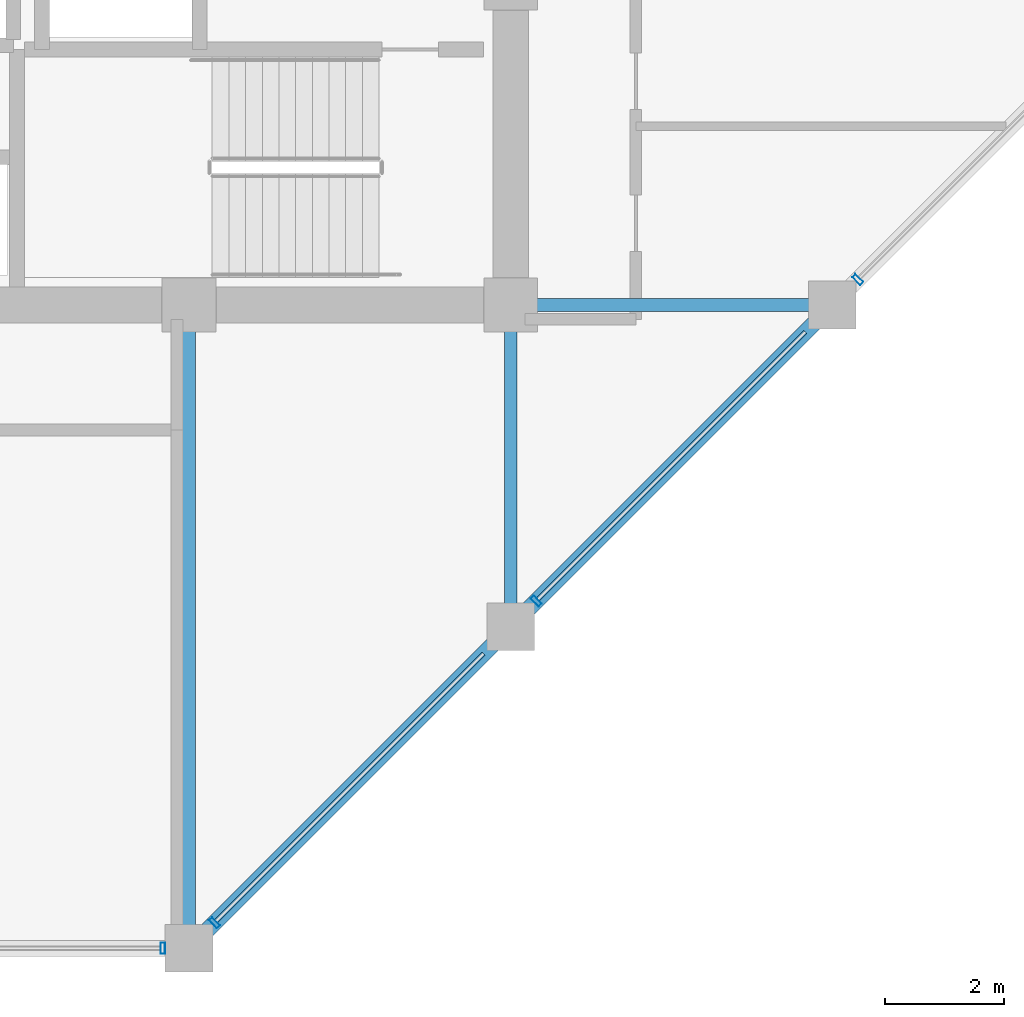
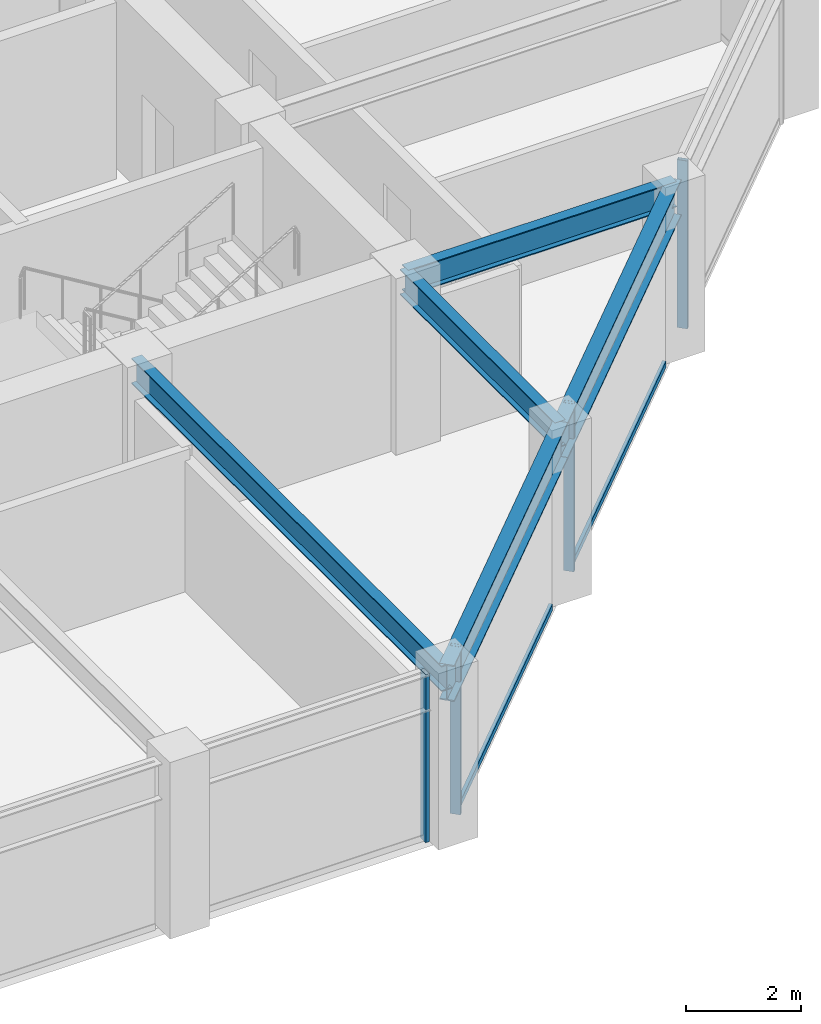
# One storey, part 10 of 30: 6 members, 5 beams, 2 elements without a shape of their own.
"""IFC4 building model written with IfcOpenShell, lengths in metres."""

from ifc_helpers import new_model, si_unit, direction, frame, origin, origin_2d, place, context, subcontext, project, spatial, hollow_rectangle, i_section, extrude, material, layer, layer_set, material_profile, profile_set, type_object, element, aggregate, save


model = new_model("IFC4")

# Units and contexts
model_context = context("Model", 3, precision=1e-05, world=origin(), true_north=direction((0.0, 1.0)))
body_context = subcontext(model_context, "Body", "Model", "MODEL_VIEW")
ifc_project = project(units=[si_unit("LENGTHUNIT", "METRE"), si_unit("AREAUNIT", "SQUARE_METRE"), si_unit("VOLUMEUNIT", "CUBIC_METRE"), si_unit("PLANEANGLEUNIT", "RADIAN"), si_unit("MASSUNIT", "GRAM", prefix="KILO")], contexts=[model_context])

# Site, building, storey
site_placement = place(None, origin())
site = spatial("IfcSite", under=ifc_project, at=site_placement, CompositionType="ELEMENT")
building_placement = place(site_placement, origin())
building = spatial("IfcBuilding", under=site, at=building_placement, Name="Surkhivell Harbour Commons", CompositionType="ELEMENT")
storey_placement = place(building_placement, frame((0.0, 0.0, 227.25)))
storey = spatial("IfcBuildingStorey", under=building, at=storey_placement, Name="L59", CompositionType="ELEMENT", Elevation=227.25)

# Beams
ifc_material_1 = material(Name="Steel S355", Category="steel")
ifc_material_profile_1 = material_profile(ifc_material_1, i_section(OverallWidth=0.2119140625, OverallDepth=0.5439453125, WebThickness=0.0126953125, FlangeThickness=0.021240234375, at=origin_2d()), Name="UB533x210x122")
ifc_profile_set_1 = profile_set([ifc_material_profile_1], Name="Steel S355")
beam_type_1 = type_object("IfcBeamType", Name="BM-GRD-533A", PredefinedType="BEAM", material=ifc_profile_set_1)
beam_1_placement = place(storey_placement, frame((5.39990234375, -21.60009765625, 3.298095703125), z_axis=(0.0, 1.0, 0.0), x_axis=(-1.0, 0.0, 0.0)))
element("IfcBeam", 1, at=beam_1_placement, inside=storey, type_object=beam_type_1, Name="L59 Floor Girder (5.4,-21.6)", PredefinedType="BEAM", context=body_context, shape_type="SweptSolid", body=[
    extrude(i_section(OverallWidth=0.2119140625, OverallDepth=0.5439453125, WebThickness=0.0126953125, FlangeThickness=0.021240234375, at=origin_2d()), origin(), (0.0, 0.0, 1.0), 10.800048828125),
])
for number, where, z_axis, x_axis, name in (
    (2, (10.800048828125, -16.199951171875, 3.298095703125), (0.0, 1.0, 0.0), (-1.0, 0.0, 0.0), "L59 Floor Girder (10.8,-16.2)"),
    (3, (10.800048828125, -10.800048828125, 3.298095703125), (1.0, 0.0, 0.0), (0.0, 1.0, 0.0), "L59 Floor Girder (10.8,-10.8)"),
):
    element("IfcBeam", number, at=place(storey_placement, frame(where, z_axis=z_axis, x_axis=x_axis)), inside=storey, type_object=beam_type_1, Name=name, PredefinedType="BEAM", context=body_context, shape_type="SweptSolid", body=[
        extrude(i_section(OverallWidth=0.2119140625, OverallDepth=0.5439453125, WebThickness=0.0126953125, FlangeThickness=0.021240234375, at=origin_2d()), origin(), (0.0, 0.0, 1.0), 5.39990234375),
    ])
ifc_material_profile_2 = material_profile(ifc_material_1, i_section(OverallWidth=0.26806640625, OverallDepth=0.77001953125, WebThickness=0.015625, FlangeThickness=0.025390625, at=origin_2d()), Name="UB762x267x197")
ifc_profile_set_2 = profile_set([ifc_material_profile_2], Name="Steel S355")
beam_type_2 = type_object("IfcBeamType", Name="BM-SPN-762", PredefinedType="SPANDREL", material=ifc_profile_set_2)
beam_2_placement = place(storey_placement, frame((5.39990234375, -21.60009765625, 3.18505859375), z_axis=(0.707106781187, 0.707106781187, 0.0), x_axis=(-0.707106781187, 0.707106781187, 0.0)))
element("IfcBeam", 4, at=beam_2_placement, inside=storey, type_object=beam_type_2, Name="L59 Tube Spandrel (5.4,-21.6)", PredefinedType="SPANDREL", context=body_context, shape_type="SweptSolid", body=[
    extrude(i_section(OverallWidth=0.26806640625, OverallDepth=0.77001953125, WebThickness=0.015625, FlangeThickness=0.025390625, at=origin_2d()), origin(), (0.0, 0.0, 1.0), 7.636962890625),
])
beam_3_placement = place(storey_placement, frame((10.800048828125, -16.199951171875, 3.18505859375), z_axis=(0.707106781187, 0.707106781187, 0.0), x_axis=(-0.707106781187, 0.707106781187, 0.0)))
element("IfcBeam", 5, at=beam_3_placement, inside=storey, type_object=beam_type_2, Name="L59 Tube Spandrel (10.8,-16.2)", PredefinedType="SPANDREL", context=body_context, shape_type="SweptSolid", body=[
    extrude(i_section(OverallWidth=0.26806640625, OverallDepth=0.77001953125, WebThickness=0.015625, FlangeThickness=0.025390625, at=origin_2d()), origin(), (0.0, 0.0, 1.0), 7.63671875),
])

# Curtain wall, member
ifc_material_2 = material(Name="Anodised pale-metal aluminium and insulated glazing", Category="aluminium")
ifc_layer = layer(ifc_material_2, 0.18994140625)
ifc_layer_set = layer_set([ifc_layer], Name="Anodised pale-metal aluminium and insulated glazing")
curtain_wall_type = type_object("IfcCurtainWallType", Name="CW-SYS-Z3", PredefinedType="NOTDEFINED", material=ifc_layer_set)
curtain_wall_1_placement = place(storey_placement, origin())
curtain_wall_1 = element("IfcCurtainWall", 6, at=curtain_wall_1_placement, inside=storey, type_object=curtain_wall_type, Name="L59 Curtain Wall CW-L59-E00S2", PredefinedType="NOTDEFINED")
ifc_material_3 = material(Name="Anodised pale-metal aluminium alloy 6063-T6", Category="aluminium")
ifc_material_profile_3 = material_profile(ifc_material_3, hollow_rectangle(XDim=0.074951171875, YDim=0.18994140625, WallThickness=0.00390625, at=origin_2d()), Name="ALU-MULL-75x190")
ifc_profile_set_3 = profile_set([ifc_material_profile_3], Name="Anodised pale-metal aluminium alloy 6063-T6")
member_type_1 = type_object("IfcMemberType", Name="CWM-190", PredefinedType="MULLION", material=ifc_profile_set_3)
member_1_placement = place(storey_placement, frame((4.96044921875, -21.60009765625, 0.0), z_axis=(0.0, 0.0, 1.0), x_axis=(1.0, 0.0, 0.0)))
member_1 = element("IfcMember", 7, at=member_1_placement, type_object=member_type_1, Name="CW-Z3 mullion 3", PredefinedType="MULLION", context=body_context, shape_type="SweptSolid", body=[
    extrude(hollow_rectangle(XDim=0.074951171875, YDim=0.18994140625, WallThickness=0.00390625, at=origin_2d()), origin(), (0.0, 0.0, 1.0), 3.570068359375),
])
aggregate(curtain_wall_1, [member_1])

# Curtain wall, members
curtain_wall_2_placement = place(storey_placement, origin())
curtain_wall_2 = element("IfcCurtainWall", 8, at=curtain_wall_2_placement, inside=storey, type_object=curtain_wall_type, Name="L59 Curtain Wall CW-L59-E01", PredefinedType="NOTDEFINED")
member_2_placement = place(storey_placement, frame((5.828125, -21.171875, 0.0), z_axis=(0.0, 0.0, 1.0), x_axis=(0.707106781187, 0.707106781187, 0.0)))
member_2 = element("IfcMember", 9, at=member_2_placement, type_object=member_type_1, Name="CW-Z3 mullion 1", PredefinedType="MULLION", context=body_context, shape_type="SweptSolid", body=[
    extrude(hollow_rectangle(XDim=0.074951171875, YDim=0.18994140625, WallThickness=0.00390625, at=origin_2d()), origin(), (0.0, 0.0, 1.0), 3.570068359375),
])
member_3_placement = place(storey_placement, frame((11.228271484375, -15.771728515625, 0.0), z_axis=(0.0, 0.0, 1.0), x_axis=(0.707106781187, 0.707106781187, 0.0)))
member_3 = element("IfcMember", 10, at=member_3_placement, type_object=member_type_1, Name="CW-Z3 mullion 2", PredefinedType="MULLION", context=body_context, shape_type="SweptSolid", body=[
    extrude(hollow_rectangle(XDim=0.074951171875, YDim=0.18994140625, WallThickness=0.00390625, at=origin_2d()), origin(), (0.0, 0.0, 1.0), 3.570068359375),
])
member_4_placement = place(storey_placement, frame((16.628173828125, -10.371826171875, 0.0), z_axis=(0.0, 0.0, 1.0), x_axis=(0.707106781187, 0.707106781187, 0.0)))
member_4 = element("IfcMember", 11, at=member_4_placement, type_object=member_type_1, Name="CW-Z3 mullion 3", PredefinedType="MULLION", context=body_context, shape_type="SweptSolid", body=[
    extrude(hollow_rectangle(XDim=0.074951171875, YDim=0.18994140625, WallThickness=0.00390625, at=origin_2d()), origin(), (0.0, 0.0, 1.0), 3.570068359375),
])
ifc_material_4 = material(Name="Champagne anodised aluminium alloy 6063-T6", Category="aluminium")
ifc_material_profile_4 = material_profile(ifc_material_4, hollow_rectangle(XDim=0.070068359375, YDim=0.1298828125, WallThickness=0.00341796875, at=origin_2d()), Name="ALU-TRAN-70x130")
ifc_profile_set_4 = profile_set([ifc_material_profile_4], Name="Champagne anodised aluminium alloy 6063-T6")
member_type_2 = type_object("IfcMemberType", Name="CWT-130", PredefinedType="USERDEFINED", material=ifc_profile_set_4)
member_5_placement = place(storey_placement, frame((5.854736328125, -21.145263671875, 0.06494140625), z_axis=(0.707106781187, 0.707106781187, 0.0), x_axis=(-0.707106781187, 0.707106781187, 0.0)))
member_5 = element("IfcMember", 12, at=member_5_placement, type_object=member_type_2, Name="CW-Z3 transom 1.1", ObjectType="TRANSOM", PredefinedType="USERDEFINED", context=body_context, shape_type="SweptSolid", body=[
    extrude(hollow_rectangle(XDim=0.070068359375, YDim=0.1298828125, WallThickness=0.00341796875, at=origin_2d()), origin(), (0.0, 0.0, 1.0), 6.3505859375),
])
member_6_placement = place(storey_placement, frame((11.254638671875, -15.745361328125, 0.06494140625), z_axis=(0.707106781187, 0.707106781187, 0.0), x_axis=(-0.707106781187, 0.707106781187, 0.0)))
member_6 = element("IfcMember", 13, at=member_6_placement, type_object=member_type_2, Name="CW-Z3 transom 2.1", ObjectType="TRANSOM", PredefinedType="USERDEFINED", context=body_context, shape_type="SweptSolid", body=[
    extrude(hollow_rectangle(XDim=0.070068359375, YDim=0.1298828125, WallThickness=0.00341796875, at=origin_2d()), origin(), (0.0, 0.0, 1.0), 6.350830078125),
])
aggregate(curtain_wall_2, [member_2, member_5, member_3, member_6, member_4])

save(model, "model.ifc")
